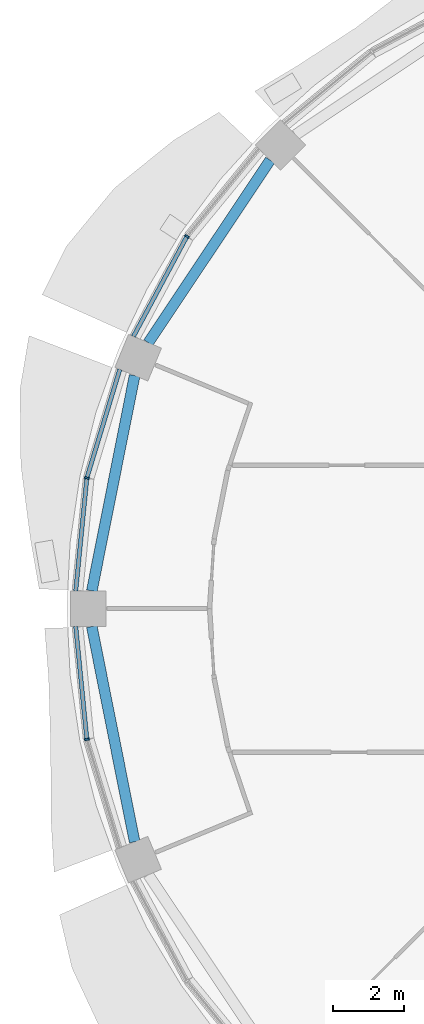
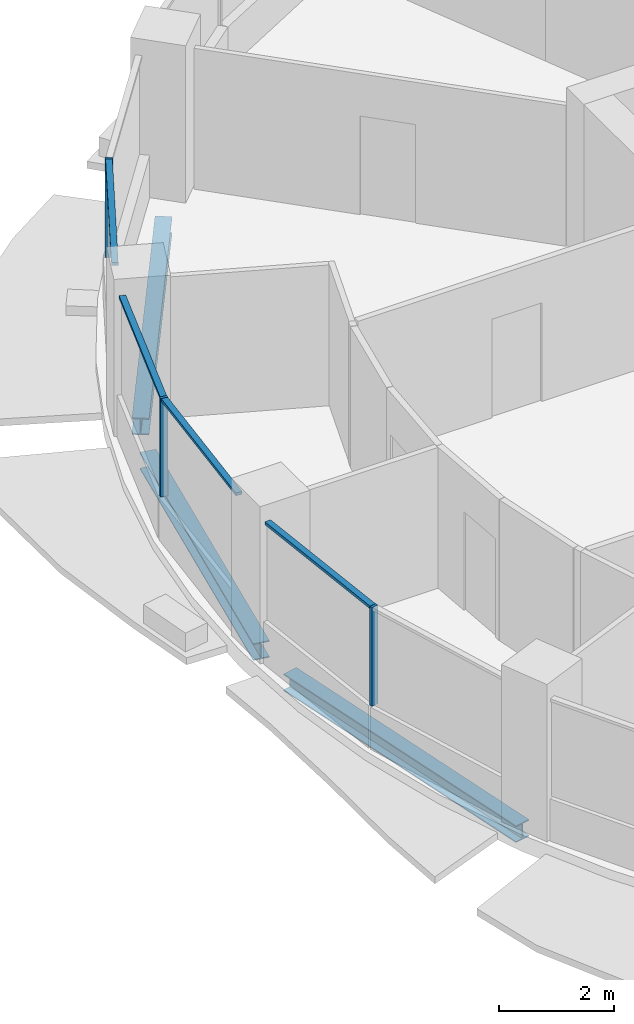
# One storey, part 4 of 15: 7 members, 3 beams, 3 elements without a shape of their own.
"""IFC4 building model written with IfcOpenShell, lengths in metres."""

from ifc_helpers import new_model, si_unit, direction, frame, origin, origin_2d, place, context, subcontext, project, spatial, rectangle, i_section, extrude, material, material_profile, profile_set, type_object, element, aggregate, save


model = new_model("IFC4")

# Units and contexts
model_context = context("Model", 3, precision=1e-05, world=origin(), true_north=direction((0.0, 1.0)))
body_context = subcontext(model_context, "Body", "Model", "MODEL_VIEW")
ifc_project = project(units=[si_unit("LENGTHUNIT", "METRE"), si_unit("AREAUNIT", "SQUARE_METRE"), si_unit("VOLUMEUNIT", "CUBIC_METRE"), si_unit("PLANEANGLEUNIT", "RADIAN"), si_unit("MASSUNIT", "GRAM", prefix="KILO")], contexts=[model_context])

# Site, building, storey
site_placement = place(None, origin())
site = spatial("IfcSite", under=ifc_project, at=site_placement, CompositionType="ELEMENT")
building_placement = place(site_placement, origin())
building = spatial("IfcBuilding", under=site, at=building_placement, Name="Polderwave Tower", CompositionType="ELEMENT")
storey_placement = place(building_placement, frame((0.0, 0.0, 137.699951171875)))
storey = spatial("IfcBuildingStorey", under=building, at=storey_placement, Name="L36", CompositionType="ELEMENT", Elevation=137.699951171875)

# Curtain wall, member
ifc_material_1 = material(Name="Aluminium 6063-T6 and glass", Category="aluminium")
curtain_wall_type = type_object("IfcCurtainWallType", Name="Office ribbon glazing wall", PredefinedType="NOTDEFINED", material=ifc_material_1)
curtain_wall_1_placement = place(storey_placement, origin())
curtain_wall_1 = element("IfcCurtainWall", 1, at=curtain_wall_1_placement, inside=storey, type_object=curtain_wall_type, Name="CW3 L36 06", PredefinedType="NOTDEFINED")
ifc_material_2 = material(Name="Aluminium 6063-T6", Category="aluminium")
ifc_material_profile_1 = material_profile(ifc_material_2, rectangle(XDim=0.139892578125, YDim=0.054931640625, at=origin_2d()), Name="AL 55x140")
ifc_profile_set_1 = profile_set([ifc_material_profile_1], Name="Aluminium 6063-T6")
member_type_1 = type_object("IfcMemberType", Name="Office ribbon glazing mullion 55x140", PredefinedType="MULLION", material=ifc_profile_set_1)
member_1_placement = place(storey_placement, frame((-15.614990234375, 10.43408203125, 0.900146484375), z_axis=(0.0, 0.0, 1.0), x_axis=(0.831411428565, -0.555657301267, 0.0)))
member_1 = element("IfcMember", 2, at=member_1_placement, type_object=member_type_1, Name="CW3 mullion 1", PredefinedType="MULLION", context=body_context, shape_type="SweptSolid", body=[
    extrude(rectangle(XDim=0.139892578125, YDim=0.054931640625, at=origin_2d()), origin(), (0.0, 0.0, 1.0), 2.099853515625),
])

curtain_wall_2_placement = place(storey_placement, origin())
curtain_wall_2 = element("IfcCurtainWall", 3, at=curtain_wall_2_placement, inside=storey, type_object=curtain_wall_type, Name="CW3 L36 07", PredefinedType="NOTDEFINED")
member_2_placement = place(storey_placement, frame((-18.4189453125, 3.6640625, 0.900146484375), z_axis=(0.0, 0.0, 1.0), x_axis=(0.980767570528, -0.195179334461, 0.0)))
member_2 = element("IfcMember", 4, at=member_2_placement, type_object=member_type_1, Name="CW3 mullion 1", PredefinedType="MULLION", context=body_context, shape_type="SweptSolid", body=[
    extrude(rectangle(XDim=0.139892578125, YDim=0.054931640625, at=origin_2d()), origin(), (0.0, 0.0, 1.0), 2.099853515625),
])

curtain_wall_3_placement = place(storey_placement, origin())
curtain_wall_3 = element("IfcCurtainWall", 5, at=curtain_wall_3_placement, inside=storey, type_object=curtain_wall_type, Name="CW3 L36 08", PredefinedType="NOTDEFINED")
member_3_placement = place(storey_placement, frame((-18.4189453125, -3.6640625, 0.900146484375), z_axis=(0.0, 0.0, 1.0), x_axis=(0.980767570528, 0.195179334461, 0.0)))
member_3 = element("IfcMember", 6, at=member_3_placement, type_object=member_type_1, Name="CW3 mullion 1", PredefinedType="MULLION", context=body_context, shape_type="SweptSolid", body=[
    extrude(rectangle(XDim=0.139892578125, YDim=0.054931640625, at=origin_2d()), origin(), (0.0, 0.0, 1.0), 2.099853515625),
])

# Member
ifc_material_profile_2 = material_profile(ifc_material_2, rectangle(XDim=0.1201171875, YDim=0.06005859375, at=origin_2d()), Name="AL 60x120")
ifc_profile_set_2 = profile_set([ifc_material_profile_2], Name="Aluminium 6063-T6")
member_type_2 = type_object("IfcMemberType", Name="Office ribbon glazing transom 60x120", PredefinedType="USERDEFINED", material=ifc_profile_set_2)
member_4_placement = place(storey_placement, frame((-15.6279296875, 10.40966796875, 2.969970703125), z_axis=(-0.471460363877, -0.88188725203, 0.0), x_axis=(0.88188725203, -0.471460363877, 0.0)))
member_4 = element("IfcMember", 7, at=member_4_placement, type_object=member_type_2, Name="CW3 transom 2", ObjectType="TRANSOM", PredefinedType="USERDEFINED", context=body_context, shape_type="SweptSolid", body=[
    extrude(rectangle(XDim=0.1201171875, YDim=0.06005859375, at=origin_2d()), origin(), (0.0, 0.0, 1.0), 3.152099609375),
])

aggregate(curtain_wall_1, [member_1, member_4])

member_5_placement = place(storey_placement, frame((-17.49609375, 6.7060546875, 2.969970703125), z_axis=(-0.290267539602, -0.956945534215, 0.0), x_axis=(0.956945534215, -0.290267539602, 0.0)))
member_5 = element("IfcMember", 8, at=member_5_placement, type_object=member_type_2, Name="CW3 transom 1", ObjectType="TRANSOM", PredefinedType="USERDEFINED", context=body_context, shape_type="SweptSolid", body=[
    extrude(rectangle(XDim=0.1201171875, YDim=0.06005859375, at=origin_2d()), origin(), (0.0, 0.0, 1.0), 3.151611328125),
])

member_6_placement = place(storey_placement, frame((-18.421630859375, 3.63671875, 2.969970703125), z_axis=(-0.09813853445, -0.995172762919, 0.0), x_axis=(0.995172762919, -0.09813853445, 0.0)))
member_6 = element("IfcMember", 9, at=member_6_placement, type_object=member_type_2, Name="CW3 transom 2", ObjectType="TRANSOM", PredefinedType="USERDEFINED", context=body_context, shape_type="SweptSolid", body=[
    extrude(rectangle(XDim=0.1201171875, YDim=0.06005859375, at=origin_2d()), origin(), (0.0, 0.0, 1.0), 3.15185546875),
])

aggregate(curtain_wall_2, [member_2, member_5, member_6])

member_7_placement = place(storey_placement, frame((-18.73095703125, -0.5, 2.969970703125), z_axis=(0.09813853445, -0.995172762919, 0.0), x_axis=(0.995172762919, 0.09813853445, 0.0)))
member_7 = element("IfcMember", 10, at=member_7_placement, type_object=member_type_2, Name="CW3 transom 1", ObjectType="TRANSOM", PredefinedType="USERDEFINED", context=body_context, shape_type="SweptSolid", body=[
    extrude(rectangle(XDim=0.1201171875, YDim=0.06005859375, at=origin_2d()), origin(), (0.0, 0.0, 1.0), 3.15185546875),
])

aggregate(curtain_wall_3, [member_3, member_7])

# Beams
ifc_material_3 = material(Name="Steel S355", Category="steel")
ifc_material_profile_3 = material_profile(ifc_material_3, i_section(OverallWidth=0.300048828125, OverallDepth=0.360107421875, WebThickness=0.012451171875, FlangeThickness=0.0224609375, at=origin_2d()), Name="HE 360 B")
ifc_profile_set_3 = profile_set([ifc_material_profile_3], Name="Steel S355")
beam_type = type_object("IfcBeamType", Name="RING BEAM HE 360 B", PredefinedType="BEAM", material=ifc_profile_set_3)
beam_placement = place(storey_placement, frame((-13.27978515625, 12.57275390625, -0.530029296875), z_axis=(-0.555579044629, -0.831463724506, 0.0), x_axis=(0.831463724506, -0.555579044629, 0.0)))
element("IfcBeam", 11, at=beam_placement, inside=storey, type_object=beam_type, Name="ST-RB-L36-06", PredefinedType="BEAM", context=body_context, shape_type="SweptSolid", body=[
    extrude(i_section(OverallWidth=0.300048828125, OverallDepth=0.360107421875, WebThickness=0.012451171875, FlangeThickness=0.0224609375, at=origin_2d()), origin(), (0.0, 0.0, 1.0), 6.152099609375),
])
for number, where, z_axis, x_axis, name in (
    (12, (-17.080322265625, 6.53369140625, -0.530029296875), (-0.195093366566, -0.9807846748, 0.0), (0.9807846748, -0.195093366566, 0.0), "ST-RB-L36-07"),
    (13, (-18.280517578125, -0.5, -0.530029296875), (0.195093366566, -0.9807846748, 0.0), (0.9807846748, 0.195093366566, 0.0), "ST-RB-L36-08"),
):
    element("IfcBeam", number, at=place(storey_placement, frame(where, z_axis=z_axis, x_axis=x_axis)), inside=storey, type_object=beam_type, Name=name, PredefinedType="BEAM", context=body_context, shape_type="SweptSolid", body=[
        extrude(i_section(OverallWidth=0.300048828125, OverallDepth=0.360107421875, WebThickness=0.012451171875, FlangeThickness=0.0224609375, at=origin_2d()), origin(), (0.0, 0.0, 1.0), 6.15185546875),
    ])

save(model, "model.ifc")
